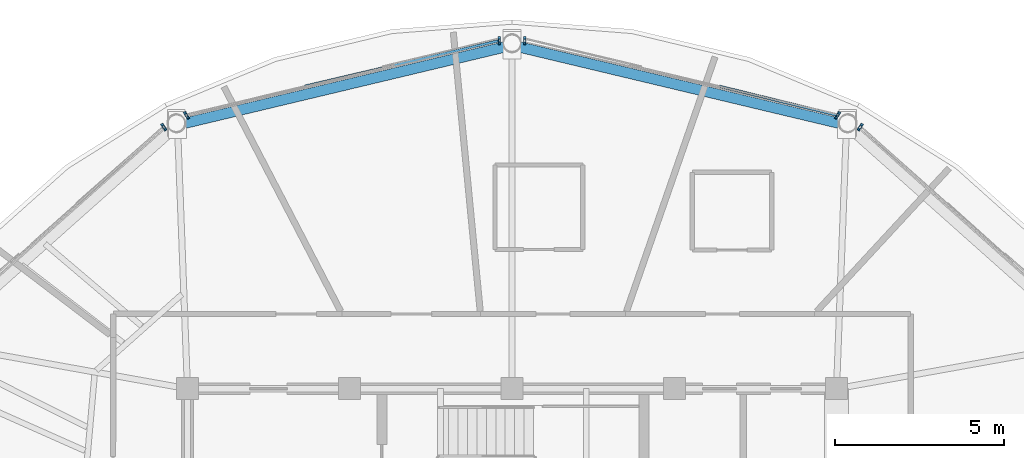
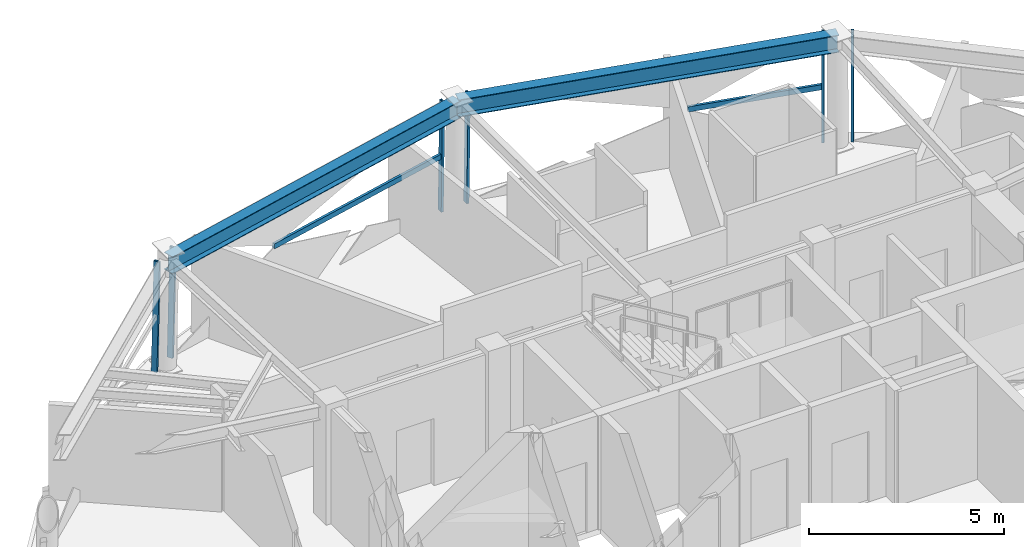
# One storey, part 6 of 15: 8 members, 2 beams, 4 elements without a shape of their own.
"""IFC4 building model written with IfcOpenShell, lengths in metres."""

from ifc_helpers import new_model, si_unit, direction, frame, origin, origin_2d, place, context, subcontext, project, spatial, hollow_rectangle, i_section, extrude, material, layer, layer_set, material_profile, profile_set, type_object, element, aggregate, save


model = new_model("IFC4")

# Units and contexts
model_context = context("Model", 3, precision=1e-05, world=origin(), true_north=direction((0.0, 1.0)))
body_context = subcontext(model_context, "Body", "Model", "MODEL_VIEW")
ifc_project = project(units=[si_unit("LENGTHUNIT", "METRE"), si_unit("AREAUNIT", "SQUARE_METRE"), si_unit("VOLUMEUNIT", "CUBIC_METRE"), si_unit("PLANEANGLEUNIT", "RADIAN"), si_unit("MASSUNIT", "GRAM", prefix="KILO")], contexts=[model_context])

# Site, building, storey
site_placement = place(None, origin())
site = spatial("IfcSite", under=ifc_project, at=site_placement, CompositionType="ELEMENT")
building_placement = place(site_placement, origin())
building = spatial("IfcBuilding", under=site, at=building_placement, Name="Vantalir Tower", CompositionType="ELEMENT")
storey_placement = place(building_placement, frame((0.0, 0.0, 263.85009765625)))
storey = spatial("IfcBuildingStorey", under=building, at=storey_placement, Name="L66", CompositionType="ELEMENT", Elevation=263.85009765625)

# Beams
ifc_material_1 = material(Name="Steel S460", Category="steel")
ifc_material_profile_1 = material_profile(ifc_material_1, i_section(OverallWidth=0.31201171875, OverallDepth=0.5419921875, WebThickness=0.0126953125, FlangeThickness=0.020263671875, at=origin_2d()), Name="Steel S460")
ifc_profile_set_1 = profile_set([ifc_material_profile_1], Name="Steel S460")
beam_type = type_object("IfcBeamType", Name="BM-RG-533x312", PredefinedType="USERDEFINED", material=ifc_profile_set_1)
for number, where, z_axis, x_axis, name in (
    (1, (41.39501953125, 40.251953125, 3.298828125), (-0.9727358683, 0.231915783256, 0.0), (-0.231915783256, -0.9727358683, 0.0), "L66 Circumferential Ring Girder 03"),
    (2, (31.5, 42.611083984375, 3.2587890625), (-0.9727358683, -0.231915783256, 0.0), (0.231915783256, -0.9727358683, 0.0), "L66 Circumferential Ring Girder 04"),
):
    element("IfcBeam", number, at=place(storey_placement, frame(where, z_axis=z_axis, x_axis=x_axis)), inside=storey, type_object=beam_type, Name=name, ObjectType="GIRDER", PredefinedType="USERDEFINED", context=body_context, shape_type="SweptSolid", body=[
        extrude(i_section(OverallWidth=0.31201171875, OverallDepth=0.5419921875, WebThickness=0.0126953125, FlangeThickness=0.020263671875, at=origin_2d()), origin(), (0.0, 0.0, 1.0), 10.17236328125),
    ])

# Curtain wall, member
ifc_material_2 = material(Name="Champagne-silver PVDF aluminium and double-silver Low-E glass", Category="aluminium")
ifc_layer = layer(ifc_material_2, 0.219970703125)
ifc_layer_set = layer_set([ifc_layer], Name="Champagne-silver PVDF aluminium and double-silver Low-E glass")
curtain_wall_type = type_object("IfcCurtainWallType", Name="CW-DIAMOND-Z4", PredefinedType="USERDEFINED", material=ifc_layer_set)
curtain_wall_1_placement = place(storey_placement, origin())
curtain_wall_1 = element("IfcCurtainWall", 3, at=curtain_wall_1_placement, inside=storey, type_object=curtain_wall_type, Name="L66 Quilted Pyramid-Diamond Curtain Wall S02", ObjectType="UNITISED CURTAIN WALL", PredefinedType="USERDEFINED")
ifc_material_3 = material(Name="Champagne-silver PVDF aluminium 6063-T6", Category="aluminium")
ifc_material_profile_2 = material_profile(ifc_material_3, hollow_rectangle(XDim=0.070068359375, YDim=0.1650390625, WallThickness=0.00390625, at=origin_2d()), Name="Champagne-silver PVDF aluminium 6063-T6")
ifc_profile_set_2 = profile_set([ifc_material_profile_2], Name="Champagne-silver PVDF aluminium 6063-T6")
member_type_1 = type_object("IfcMemberType", Name="CWM-165x70", PredefinedType="MULLION", material=ifc_profile_set_2)
member_1_placement = place(storey_placement, frame((41.821044921875, 40.218994140625, 0.044921875), z_axis=(-0.011502954924, -0.017815552138, 0.999775118779), x_axis=(0.840102178973, -0.54242817855, 0.0)))
member_1 = element("IfcMember", 4, at=member_1_placement, type_object=member_type_1, Name="CW-L66-S02 Mullion 2", PredefinedType="MULLION", context=body_context, shape_type="SweptSolid", body=[
    extrude(hollow_rectangle(XDim=0.070068359375, YDim=0.1650390625, WallThickness=0.00390625, at=origin_2d()), origin(), (0.0, 0.0, 1.0), 3.480712890625),
])
aggregate(curtain_wall_1, [member_1])

# Curtain wall, members
curtain_wall_2_placement = place(storey_placement, origin())
curtain_wall_2 = element("IfcCurtainWall", 5, at=curtain_wall_2_placement, inside=storey, type_object=curtain_wall_type, Name="L66 Quilted Pyramid-Diamond Curtain Wall S03", ObjectType="UNITISED CURTAIN WALL", PredefinedType="USERDEFINED")
member_2_placement = place(storey_placement, frame((41.15087890625, 40.569091796875, 0.044921875), z_axis=(-0.011432824151, -0.017815566468, 0.999775922956), x_axis=(0.84160883372, -0.540087558647, 0.0)))
member_2 = element("IfcMember", 6, at=member_2_placement, type_object=member_type_1, Name="CW-L66-S03 Mullion 1", PredefinedType="MULLION", context=body_context, shape_type="SweptSolid", body=[
    extrude(hollow_rectangle(XDim=0.070068359375, YDim=0.1650390625, WallThickness=0.00390625, at=origin_2d()), origin(), (0.0, 0.0, 1.0), 3.480712890625),
])
member_3_placement = place(storey_placement, frame((31.87890625, 42.781005859375, 0.044921875), z_axis=(0.0, -0.02041106894, 0.999791672432), x_axis=(1.0, 0.0, 0.0)))
member_3 = element("IfcMember", 7, at=member_3_placement, type_object=member_type_1, Name="CW-L66-S03 Mullion 2", PredefinedType="MULLION", context=body_context, shape_type="SweptSolid", body=[
    extrude(hollow_rectangle(XDim=0.070068359375, YDim=0.1650390625, WallThickness=0.00390625, at=origin_2d()), origin(), (0.0, 0.0, 1.0), 3.480712890625),
])

curtain_wall_3_placement = place(storey_placement, origin())
curtain_wall_3 = element("IfcCurtainWall", 8, at=curtain_wall_3_placement, inside=storey, type_object=curtain_wall_type, Name="L66 Quilted Pyramid-Diamond Curtain Wall S04", ObjectType="UNITISED CURTAIN WALL", PredefinedType="USERDEFINED")
member_4_placement = place(storey_placement, frame((31.12109375, 42.781005859375, 0.044921875), z_axis=(0.0, -0.02041106894, 0.999791672432), x_axis=(1.0, 0.0, 0.0)))
member_4 = element("IfcMember", 9, at=member_4_placement, type_object=member_type_1, Name="CW-L66-S04 Mullion 1", PredefinedType="MULLION", context=body_context, shape_type="SweptSolid", body=[
    extrude(hollow_rectangle(XDim=0.070068359375, YDim=0.1650390625, WallThickness=0.00390625, at=origin_2d()), origin(), (0.0, 0.0, 1.0), 3.480712890625),
])
member_5_placement = place(storey_placement, frame((21.84912109375, 40.569091796875, 0.044921875), z_axis=(0.011432824151, -0.017815566468, 0.999775922956), x_axis=(0.84160883372, 0.540087558647, 0.0)))
member_5 = element("IfcMember", 10, at=member_5_placement, type_object=member_type_1, Name="CW-L66-S04 Mullion 2", PredefinedType="MULLION", context=body_context, shape_type="SweptSolid", body=[
    extrude(hollow_rectangle(XDim=0.070068359375, YDim=0.1650390625, WallThickness=0.00390625, at=origin_2d()), origin(), (0.0, 0.0, 1.0), 3.480712890625),
])

# Curtain wall, member
curtain_wall_4_placement = place(storey_placement, origin())
curtain_wall_4 = element("IfcCurtainWall", 11, at=curtain_wall_4_placement, inside=storey, type_object=curtain_wall_type, Name="L66 Quilted Pyramid-Diamond Curtain Wall S05", ObjectType="UNITISED CURTAIN WALL", PredefinedType="USERDEFINED")
member_6_placement = place(storey_placement, frame((21.178955078125, 40.218994140625, 0.044921875), z_axis=(0.011502954924, -0.017815552138, 0.999775118779), x_axis=(0.840102178973, 0.54242817855, 0.0)))
member_6 = element("IfcMember", 12, at=member_6_placement, type_object=member_type_1, Name="CW-L66-S05 Mullion 1", PredefinedType="MULLION", context=body_context, shape_type="SweptSolid", body=[
    extrude(hollow_rectangle(XDim=0.070068359375, YDim=0.1650390625, WallThickness=0.00390625, at=origin_2d()), origin(), (0.0, 0.0, 1.0), 3.480712890625),
])
aggregate(curtain_wall_4, [member_6])

# Member
ifc_material_profile_3 = material_profile(ifc_material_3, hollow_rectangle(XDim=0.074951171875, YDim=0.159912109375, WallThickness=0.00390625, at=origin_2d()), Name="Champagne-silver PVDF aluminium 6063-T6")
ifc_profile_set_3 = profile_set([ifc_material_profile_3], Name="Champagne-silver PVDF aluminium 6063-T6")
member_type_2 = type_object("IfcMemberType", Name="CWT-160x75", PredefinedType="USERDEFINED", material=ifc_profile_set_3)
member_7_placement = place(storey_placement, frame((41.131103515625, 40.5380859375, 1.784912109375), z_axis=(-0.971171579019, 0.238381551522, 0.0), x_axis=(-0.238381551522, -0.971171579019, 0.0)))
member_7 = element("IfcMember", 13, at=member_7_placement, type_object=member_type_2, Name="CW-L66-S03 Pyramid Fold Ridge Transom", ObjectType="TRANSOM", PredefinedType="USERDEFINED", context=body_context, shape_type="SweptSolid", body=[
    extrude(hollow_rectangle(XDim=0.074951171875, YDim=0.159912109375, WallThickness=0.00390625, at=origin_2d()), origin(), (0.0, 0.0, 1.0), 3.611083984375),
])

aggregate(curtain_wall_2, [member_2, member_3, member_7])

member_8_placement = place(storey_placement, frame((31.12109375, 42.74609375, 1.784912109375), z_axis=(-0.973591601651, -0.228296721822, 0.0), x_axis=(0.228296721822, -0.973591601651, 0.0)))
member_8 = element("IfcMember", 14, at=member_8_placement, type_object=member_type_2, Name="CW-L66-S04 Pyramid Fold Ridge Transom", ObjectType="TRANSOM", PredefinedType="USERDEFINED", context=body_context, shape_type="SweptSolid", body=[
    extrude(hollow_rectangle(XDim=0.074951171875, YDim=0.159912109375, WallThickness=0.00390625, at=origin_2d()), origin(), (0.0, 0.0, 1.0), 5.90087890625),
])

aggregate(curtain_wall_3, [member_4, member_5, member_8])

save(model, "model.ifc")
